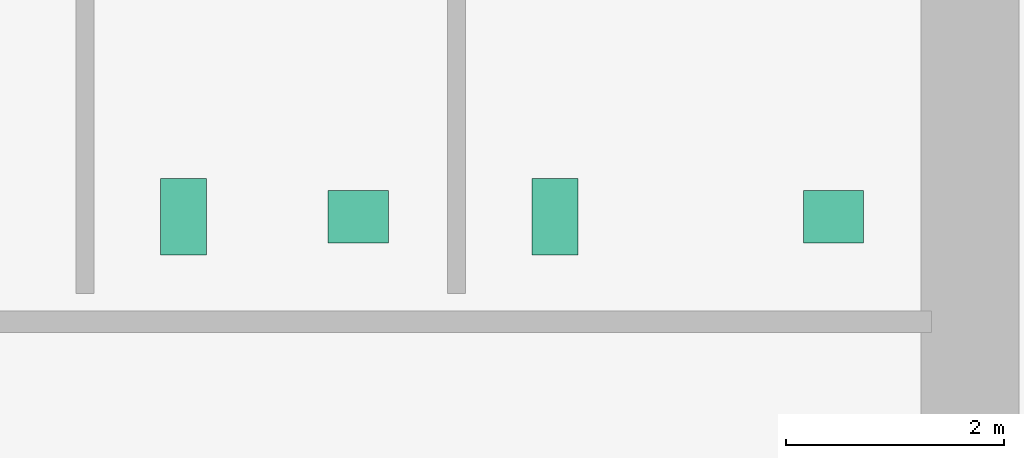
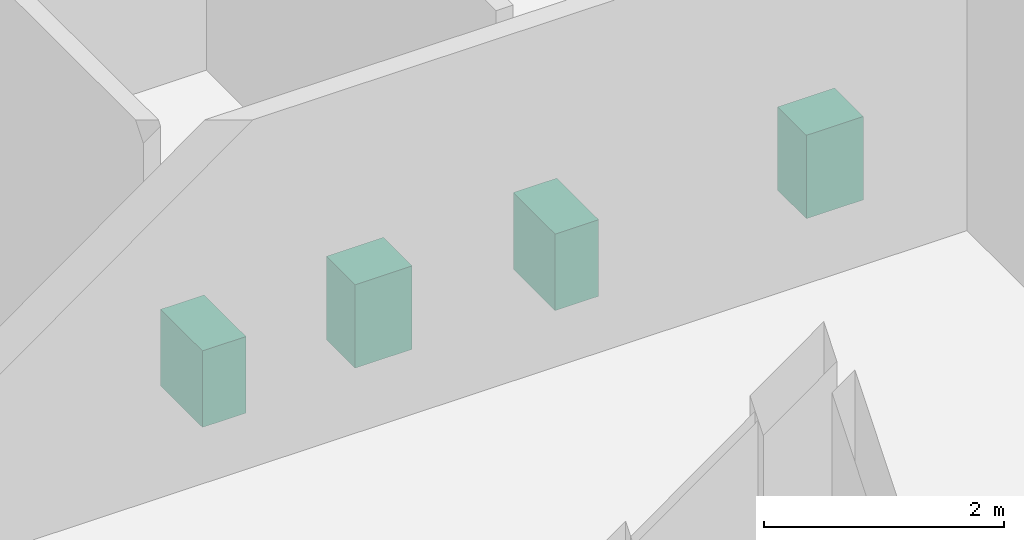
# One storey, part 13 of 13: 4 sanitary terminals.
"""IFC4 building model written with IfcOpenShell, lengths in metres."""

from ifc_helpers import new_model, si_unit, direction, frame, origin, origin_2d, place, context, subcontext, project, spatial, rectangle, extrude, material, type_object, element, save


model = new_model("IFC4")

# Units and contexts
model_context = context("Model", 3, precision=1e-05, world=origin(), true_north=direction((0.0, 1.0)))
body_context = subcontext(model_context, "Body", "Model", "MODEL_VIEW")
ifc_project = project(units=[si_unit("LENGTHUNIT", "METRE"), si_unit("AREAUNIT", "SQUARE_METRE"), si_unit("VOLUMEUNIT", "CUBIC_METRE"), si_unit("PLANEANGLEUNIT", "RADIAN"), si_unit("MASSUNIT", "GRAM", prefix="KILO")], contexts=[model_context])

# Site, building, storey
site_placement = place(None, origin())
site = spatial("IfcSite", under=ifc_project, at=site_placement, CompositionType="ELEMENT")
building_placement = place(site_placement, origin())
building = spatial("IfcBuilding", under=site, at=building_placement, Name="Norrvale University Quadrangle", CompositionType="ELEMENT")
storey_placement = place(building_placement, frame((0.0, 0.0, 85.0)))
storey = spatial("IfcBuildingStorey", under=building, at=storey_placement, Name="L21", CompositionType="ELEMENT", Elevation=85.0)

# Sanitary terminals
ifc_material = material(Name="Vitreous China Sanitaryware")
sanitary_terminal_type_1 = type_object("IfcSanitaryTerminalType", Name="Sanitary Wash Basin", PredefinedType="WASHHANDBASIN", material=ifc_material)
for number, where, z_axis, x_axis, name in (
    (1, (11.199951171875, 41.10009765625, 0.0), (0.0, 0.0, 1.0), (1.0, 0.0, 0.0), "Accessible Countertop Washbasin L21-1"),
    (2, (15.550048828125, 41.10009765625, 0.0), (0.0, 0.0, 1.0), (1.0, 0.0, 0.0), "Accessible Countertop Washbasin L21-2"),
):
    element("IfcSanitaryTerminal", number, at=place(storey_placement, frame(where, z_axis=z_axis, x_axis=x_axis)), inside=storey, type_object=sanitary_terminal_type_1, Name=name, PredefinedType="WASHHANDBASIN", context=body_context, shape_type="SweptSolid", body=[
        extrude(rectangle(XDim=0.550048828125, YDim=0.47998046875, at=origin_2d()), origin(), (0.0, 0.0, 1.0), 0.85009765625),
    ])
sanitary_terminal_type_2 = type_object("IfcSanitaryTerminalType", Name="Sanitary Water Closet", PredefinedType="TOILETPAN", material=ifc_material)
for number, where, z_axis, x_axis, name in (
    (3, (9.60009765625, 41.10009765625, 0.0), (0.0, 0.0, 1.0), (1.0, 0.0, 0.0), "Wall-Hung Water Closet L21-1"),
    (4, (13.0, 41.10009765625, 0.0), (0.0, 0.0, 1.0), (1.0, 0.0, 0.0), "Wall-Hung Water Closet L21-2"),
):
    element("IfcSanitaryTerminal", number, at=place(storey_placement, frame(where, z_axis=z_axis, x_axis=x_axis)), inside=storey, type_object=sanitary_terminal_type_2, Name=name, PredefinedType="TOILETPAN", context=body_context, shape_type="SweptSolid", body=[
        extrude(rectangle(XDim=0.419921875, YDim=0.699951171875, at=origin_2d()), origin(), (0.0, 0.0, 1.0), 0.780029296875),
    ])

save(model, "model.ifc")
